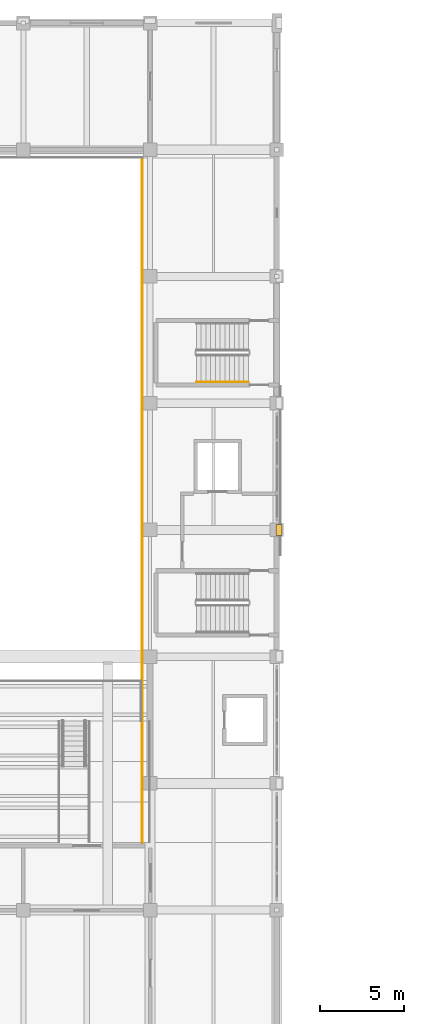
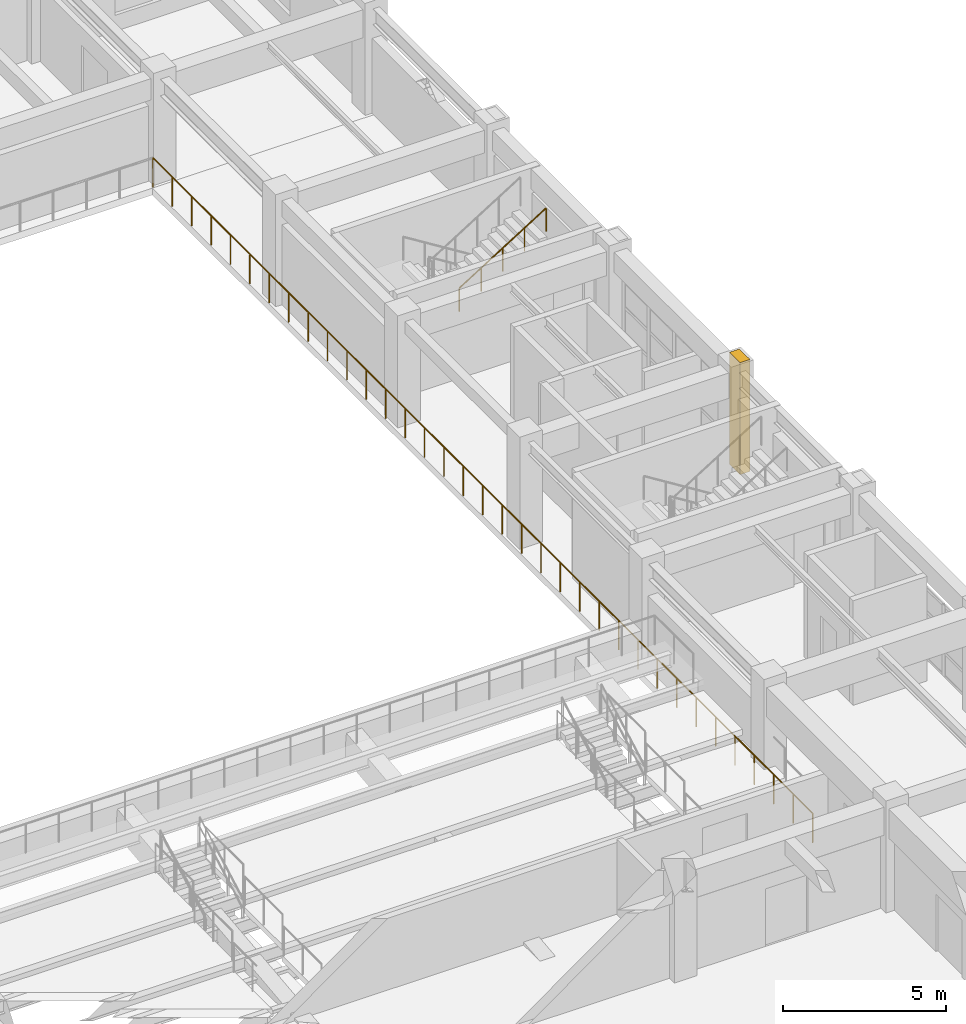
# One storey, part 117 of 124: 2 railings, 1 covering.
"""IFC4 building model written with IfcOpenShell, lengths in metres."""

from ifc_helpers import new_model, si_unit, direction, frame, origin, origin_2d, place, context, subcontext, project, spatial, rectangle, circle, extrude, material, layer, layer_set, type_object, element, save


model = new_model("IFC4")

# Units and contexts
model_context = context("Model", 3, precision=1e-05, world=origin(), true_north=direction((0.0, 1.0)))
body_context = subcontext(model_context, "Body", "Model", "MODEL_VIEW")
ifc_project = project(units=[si_unit("LENGTHUNIT", "METRE"), si_unit("AREAUNIT", "SQUARE_METRE"), si_unit("VOLUMEUNIT", "CUBIC_METRE"), si_unit("PLANEANGLEUNIT", "RADIAN"), si_unit("MASSUNIT", "GRAM", prefix="KILO")], contexts=[model_context])

# Site, building, storey
site_placement = place(None, origin())
site = spatial("IfcSite", under=ifc_project, at=site_placement, CompositionType="ELEMENT")
building_placement = place(site_placement, origin())
building = spatial("IfcBuilding", under=site, at=building_placement, Name="Qasida Concert Hall", CompositionType="ELEMENT")
storey_placement = place(building_placement, frame((0.0, 0.0, 9.0)))
storey = spatial("IfcBuildingStorey", under=building, at=storey_placement, Name="L02", CompositionType="ELEMENT", Elevation=9.0)

# Covering
ifc_material_1 = material(Name="Projecting fluted Lebanese limestone Art Deco pilaster", Category="masonry")
ifc_layer_1 = layer(ifc_material_1, 0.35009765625, Name="Projecting fluted Lebanese limestone Art Deco pilaster")
ifc_layer_set_1 = layer_set([ifc_layer_1], Name="Projecting fluted Lebanese limestone Art Deco pilaster")
covering_type = type_object("IfcCoveringType", Name="CV-PIL-650", PredefinedType="CLADDING", material=ifc_layer_set_1)
covering_placement = place(storey_placement, frame((105.135009765625, 52.5, 0.0), z_axis=(0.0, 0.0, 1.0), x_axis=(1.0, 0.0, 0.0)))
element("IfcCovering", 1, at=covering_placement, inside=storey, type_object=covering_type, Name="L02 fluted limestone pilaster 0052", PredefinedType="CLADDING", context=body_context, shape_type="SweptSolid", body=[
    extrude(rectangle(XDim=0.35009765625, YDim=0.64990234375, at=origin_2d()), origin(), (0.0, 0.0, 1.0), 4.199951171875),
])

# Railings
ifc_material_2 = material(Name="Patinated architectural bronze and laminated glass infill", Category="glass")
ifc_layer_2 = layer(ifc_material_2, 0.080078125, Name="Patinated architectural bronze and laminated glass infill")
ifc_layer_set_2 = layer_set([ifc_layer_2], Name="Patinated architectural bronze and laminated glass infill")
railing_type_1 = type_object("IfcRailingType", Name="RL-GRD-1100", PredefinedType="GUARDRAIL", material=ifc_layer_set_2)
railing_1_placement = place(storey_placement, frame((97.0400390625, 74.5400390625, 0.0)))
element("IfcRailing", 2, at=railing_1_placement, inside=storey, type_object=railing_type_1, Name="L02 Symphony L02 gallery guardrail 0090", PredefinedType="GUARDRAIL", context=body_context, shape_type="SweptSolid", body=[
    extrude(circle(Radius=0.02392578125, at=origin_2d()), frame((0.0, 0.0, 1.09619140625), z_axis=(0.0, -1.0, 0.0), x_axis=(1.0, 0.0, 0.0)), (0.0, 0.0, 1.0), 40.5400390625),
    extrude(circle(Radius=0.02099609375, at=origin_2d()), origin(), (0.0, 0.0, 1.0), 1.072021484375),
    extrude(circle(Radius=0.02099609375, at=origin_2d()), frame((0.0, -1.1923828125, 0.0)), (0.0, 0.0, 1.0), 1.072021484375),
    extrude(circle(Radius=0.02099609375, at=origin_2d()), frame((0.0, -2.384765625, 0.0)), (0.0, 0.0, 1.0), 1.072021484375),
    extrude(circle(Radius=0.02099609375, at=origin_2d()), frame((0.0, -3.5771484375, 0.0)), (0.0, 0.0, 1.0), 1.072021484375),
    extrude(circle(Radius=0.02099609375, at=origin_2d()), frame((0.0, -4.76953125, 0.0)), (0.0, 0.0, 1.0), 1.072021484375),
    extrude(circle(Radius=0.02099609375, at=origin_2d()), frame((0.0, -5.961669921875, 0.0)), (0.0, 0.0, 1.0), 1.072021484375),
    extrude(circle(Radius=0.02099609375, at=origin_2d()), frame((0.0, -7.154052734375, 0.0)), (0.0, 0.0, 1.0), 1.072021484375),
    extrude(circle(Radius=0.02099609375, at=origin_2d()), frame((0.0, -8.346435546875, 0.0)), (0.0, 0.0, 1.0), 1.072021484375),
    extrude(circle(Radius=0.02099609375, at=origin_2d()), frame((0.0, -9.538818359375, 0.0)), (0.0, 0.0, 1.0), 1.072021484375),
    extrude(circle(Radius=0.02099609375, at=origin_2d()), frame((0.0, -10.731201171875, 0.0)), (0.0, 0.0, 1.0), 1.072021484375),
    extrude(circle(Radius=0.02099609375, at=origin_2d()), frame((0.0, -11.923583984375, 0.0)), (0.0, 0.0, 1.0), 1.072021484375),
    extrude(circle(Radius=0.02099609375, at=origin_2d()), frame((0.0, -13.115966796875, 0.0)), (0.0, 0.0, 1.0), 1.072021484375),
    extrude(circle(Radius=0.02099609375, at=origin_2d()), frame((0.0, -14.308349609375, 0.0)), (0.0, 0.0, 1.0), 1.072021484375),
    extrude(circle(Radius=0.02099609375, at=origin_2d()), frame((0.0, -15.50048828125, 0.0)), (0.0, 0.0, 1.0), 1.072021484375),
    extrude(circle(Radius=0.02099609375, at=origin_2d()), frame((0.0, -16.69287109375, 0.0)), (0.0, 0.0, 1.0), 1.072021484375),
    extrude(circle(Radius=0.02099609375, at=origin_2d()), frame((0.0, -17.88525390625, 0.0)), (0.0, 0.0, 1.0), 1.072021484375),
    extrude(circle(Radius=0.02099609375, at=origin_2d()), frame((0.0, -19.07763671875, 0.0)), (0.0, 0.0, 1.0), 1.072021484375),
    extrude(circle(Radius=0.02099609375, at=origin_2d()), frame((0.0, -20.27001953125, 0.0)), (0.0, 0.0, 1.0), 1.072021484375),
    extrude(circle(Radius=0.02099609375, at=origin_2d()), frame((0.0, -21.46240234375, 0.0)), (0.0, 0.0, 1.0), 1.072021484375),
    extrude(circle(Radius=0.02099609375, at=origin_2d()), frame((0.0, -22.65478515625, 0.0)), (0.0, 0.0, 1.0), 1.072021484375),
    extrude(circle(Radius=0.02099609375, at=origin_2d()), frame((0.0, -23.84716796875, 0.0)), (0.0, 0.0, 1.0), 1.072021484375),
    extrude(circle(Radius=0.02099609375, at=origin_2d()), frame((0.0, -25.03955078125, 0.0)), (0.0, 0.0, 1.0), 1.072021484375),
    extrude(circle(Radius=0.02099609375, at=origin_2d()), frame((0.0, -26.231689453125, 0.0)), (0.0, 0.0, 1.0), 1.072021484375),
    extrude(circle(Radius=0.02099609375, at=origin_2d()), frame((0.0, -27.424072265625, 0.0)), (0.0, 0.0, 1.0), 1.072021484375),
    extrude(circle(Radius=0.02099609375, at=origin_2d()), frame((0.0, -28.616455078125, 0.0)), (0.0, 0.0, 1.0), 1.072021484375),
    extrude(circle(Radius=0.02099609375, at=origin_2d()), frame((0.0, -29.808837890625, 0.0)), (0.0, 0.0, 1.0), 1.072021484375),
    extrude(circle(Radius=0.02099609375, at=origin_2d()), frame((0.0, -31.001220703125, 0.0)), (0.0, 0.0, 1.0), 1.072021484375),
    extrude(circle(Radius=0.02099609375, at=origin_2d()), frame((0.0, -32.193603515625, 0.0)), (0.0, 0.0, 1.0), 1.072021484375),
    extrude(circle(Radius=0.02099609375, at=origin_2d()), frame((0.0, -33.385986328125, 0.0)), (0.0, 0.0, 1.0), 1.072021484375),
    extrude(circle(Radius=0.02099609375, at=origin_2d()), frame((0.0, -34.578369140625, 0.0)), (0.0, 0.0, 1.0), 1.072021484375),
    extrude(circle(Radius=0.02099609375, at=origin_2d()), frame((0.0, -35.7705078125, 0.0)), (0.0, 0.0, 1.0), 1.072021484375),
    extrude(circle(Radius=0.02099609375, at=origin_2d()), frame((0.0, -36.962890625, 0.0)), (0.0, 0.0, 1.0), 1.072021484375),
    extrude(circle(Radius=0.02099609375, at=origin_2d()), frame((0.0, -38.1552734375, 0.0)), (0.0, 0.0, 1.0), 1.072021484375),
    extrude(circle(Radius=0.02099609375, at=origin_2d()), frame((0.0, -39.34765625, 0.0)), (0.0, 0.0, 1.0), 1.072021484375),
    extrude(circle(Radius=0.02099609375, at=origin_2d()), frame((0.0, -40.5400390625, 0.0)), (0.0, 0.0, 1.0), 1.072021484375),
])
ifc_material_3 = material(Name="Patinated tubular architectural bronze", Category="steel")
ifc_layer_3 = layer(ifc_material_3, 0.050048828125, Name="Patinated tubular architectural bronze")
ifc_layer_set_3 = layer_set([ifc_layer_3], Name="Patinated tubular architectural bronze")
railing_type_2 = type_object("IfcRailingType", Name="RL-HND-900", PredefinedType="HANDRAIL", material=ifc_layer_set_3)
railing_2_placement = place(storey_placement, frame((100.239990234375, 61.25, 2.27490234375)))
element("IfcRailing", 3, at=railing_2_placement, inside=storey, type_object=railing_type_2, Name="L02 ST-12 stair handrail 2", PredefinedType="HANDRAIL", context=body_context, shape_type="SweptSolid", body=[
    extrude(circle(Radius=0.02392578125, at=origin_2d()), frame((0.0, 0.0, 0.8759765625), z_axis=(0.847998304005, 0.0, 0.529998940003), x_axis=(0.0, 1.0, 0.0)), (0.0, 0.0, 1.0), 3.632080078125),
    extrude(circle(Radius=0.02099609375, at=origin_2d()), origin(), (0.0, 0.0, 1.0), 0.851806640625),
    extrude(circle(Radius=0.02099609375, at=origin_2d()), frame((0.77001953125, 0.0, 0.481201171875)), (0.0, 0.0, 1.0), 0.851806640625),
    extrude(circle(Radius=0.02099609375, at=origin_2d()), frame((1.5400390625, 0.0, 0.96240234375)), (0.0, 0.0, 1.0), 0.851806640625),
    extrude(circle(Radius=0.02099609375, at=origin_2d()), frame((2.31005859375, 0.0, 1.44384765625)), (0.0, 0.0, 1.0), 0.851806640625),
    extrude(circle(Radius=0.02099609375, at=origin_2d()), frame((3.080078125, 0.0, 1.925048828125)), (0.0, 0.0, 1.0), 0.851806640625),
])

save(model, "model.ifc")
